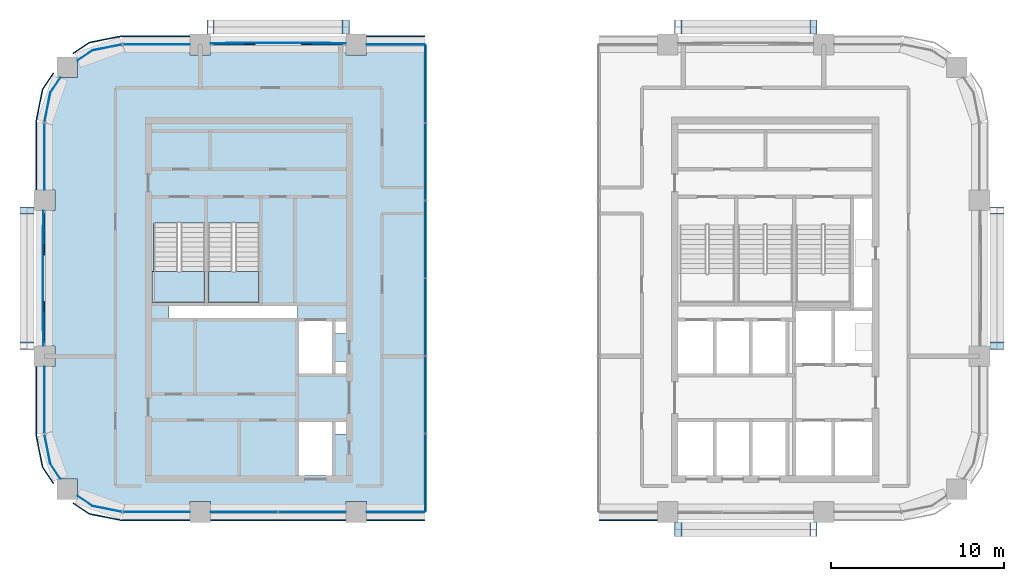
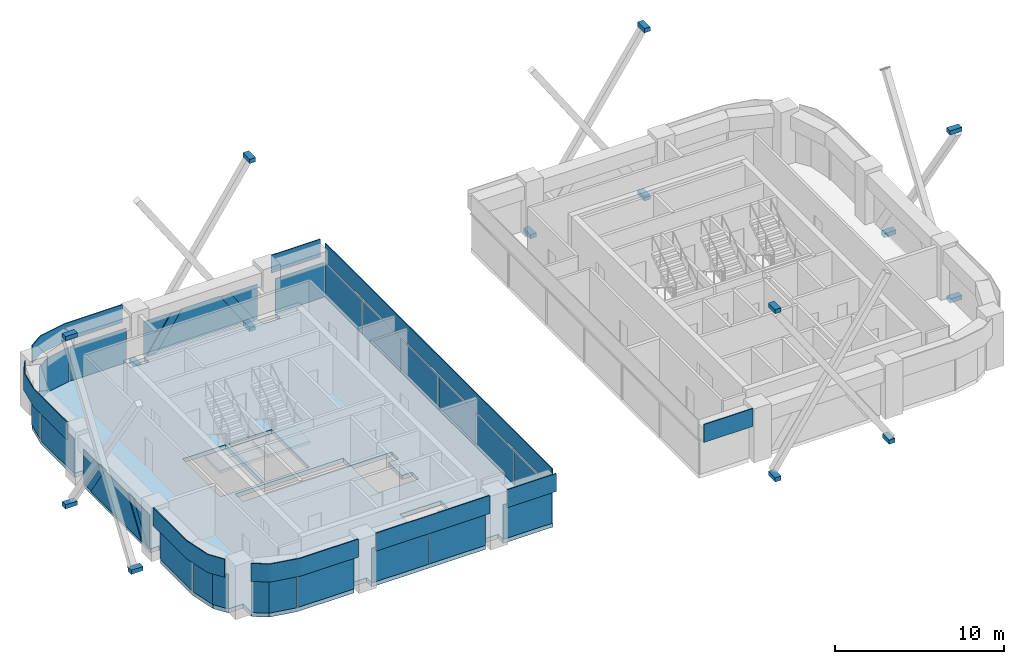
# One storey, part 5 of 14: 37 plates, 15 members, 3 slabs, 13 elements without a shape of their own.
"""IFC4 building model written with IfcOpenShell, lengths in metres."""

from ifc_helpers import new_model, si_unit, direction, frame, origin, origin_2d, place, context, subcontext, project, spatial, polyline, rectangle, outline, extrude, material, layer, layer_set, type_object, element, aggregate, save


model = new_model("IFC4")

# Units and contexts
model_context = context("Model", 3, precision=1e-05, world=origin(), true_north=direction((0.0, 1.0)))
body_context = subcontext(model_context, "Body", "Model", "MODEL_VIEW")
ifc_project = project(units=[si_unit("LENGTHUNIT", "METRE"), si_unit("AREAUNIT", "SQUARE_METRE"), si_unit("VOLUMEUNIT", "CUBIC_METRE"), si_unit("PLANEANGLEUNIT", "RADIAN"), si_unit("MASSUNIT", "GRAM", prefix="KILO")], contexts=[model_context])

# Site, building, storey
site_placement = place(None, origin())
site = spatial("IfcSite", under=ifc_project, at=site_placement, CompositionType="ELEMENT")
building_placement = place(site_placement, origin())
building = spatial("IfcBuilding", under=site, at=building_placement, Name="Tessera Arch", CompositionType="ELEMENT")
storey_placement = place(building_placement, frame((0.0, 0.0, 215.0)))
storey = spatial("IfcBuildingStorey", under=building, at=storey_placement, Name="L51", CompositionType="ELEMENT", Elevation=215.0)

# Members
ifc_material_1 = material(Name="Steel A572 Gr50", Category="steel")
ifc_layer_1 = layer(ifc_material_1, 0.050048828125)
ifc_layer_set_1 = layer_set([ifc_layer_1], Name="Node block Steel A572 Gr50")
member_type = type_object("IfcMemberType", Name="Node block Steel A572 Gr50", PredefinedType="PLATE", material=ifc_layer_set_1)
for number, where, z_axis, x_axis, name in (
    (1, (9.60009765625, 55.00634765625, -1.234375), (0.0, 0.0, 1.0), (-1.0, 0.0, 0.0), "Node block seat N54.0-1 1 L51"),
    (2, (17.39990234375, 55.00634765625, -1.234375), (0.0, 0.0, 1.0), (-1.0, 0.0, 0.0), "Node block seat N54.0-1 2 L51"),
    (3, (17.39990234375, 55.00634765625, 10.93408203125), (0.0, 0.0, 1.0), (-1.0, 0.0, 0.0), "Node block head N54.0-1 B L51"),
    (4, (-1.00634765625, 36.60009765625, -1.234375), (0.0, 0.0, 1.0), (0.0, -1.0, 0.0), "Node block seat W0.27-1 1 L51"),
    (5, (-1.00634765625, 44.39990234375, -1.234375), (0.0, 0.0, 1.0), (0.0, -1.0, 0.0), "Node block seat W0.27-1 2 L51"),
    (6, (-1.00634765625, 44.39990234375, 10.93408203125), (0.0, 0.0, 1.0), (0.0, -1.0, 0.0), "Node block head W0.27-1 B L51"),
    (7, (44.39990234375, 25.99365234375, -1.234375), (0.0, 0.0, 1.0), (1.0, 0.0, 0.0), "Node block seat S27.32-1 1 L51"),
    (8, (36.60009765625, 25.99365234375, -1.234375), (0.0, 0.0, 1.0), (1.0, 0.0, 0.0), "Node block seat S27.32-1 2 L51"),
    (9, (36.60009765625, 25.99365234375, 10.93408203125), (0.0, 0.0, 1.0), (1.0, 0.0, 0.0), "Node block head S27.32-1 B L51"),
    (10, (55.00634765625, 44.39990234375, -1.234375), (0.0, 0.0, 1.0), (0.0, 1.0, 0.0), "Node block seat E54.27-1 1 L51"),
    (11, (55.00634765625, 36.60009765625, -1.234375), (0.0, 0.0, 1.0), (0.0, 1.0, 0.0), "Node block seat E54.27-1 2 L51"),
    (12, (55.00634765625, 36.60009765625, 10.93408203125), (0.0, 0.0, 1.0), (0.0, 1.0, 0.0), "Node block head E54.27-1 B L51"),
    (13, (36.60009765625, 55.00634765625, -1.234375), (0.0, 0.0, 1.0), (-1.0, 0.0, 0.0), "Node block seat N54.32-1 1 L51"),
    (14, (44.39990234375, 55.00634765625, -1.234375), (0.0, 0.0, 1.0), (-1.0, 0.0, 0.0), "Node block seat N54.32-1 2 L51"),
    (15, (44.39990234375, 55.00634765625, 10.93408203125), (0.0, 0.0, 1.0), (-1.0, 0.0, 0.0), "Node block head N54.32-1 B L51"),
):
    element("IfcMember", number, at=place(storey_placement, frame(where, z_axis=z_axis, x_axis=x_axis)), inside=storey, type_object=member_type, Name=name, PredefinedType="PLATE", context=body_context, shape_type="SweptSolid", body=[
        extrude(rectangle(XDim=0.406494140625, YDim=0.812744140625, at=origin_2d()), origin(), (0.0, 0.0, 1.0), 0.300048828125),
    ])

# Curtain wall, plates
ifc_material_2 = material(Name="CW1 curtain wall")
curtain_wall_type_1 = type_object("IfcCurtainWallType", Name="CW1 curtain wall", PredefinedType="NOTDEFINED", material=ifc_material_2)
curtain_wall_1_placement = place(storey_placement, origin())
curtain_wall_1 = element("IfcCurtainWall", 16, at=curtain_wall_1_placement, inside=storey, type_object=curtain_wall_type_1, Name="CW1 curtain wall S27.0/0 L51", PredefinedType="NOTDEFINED")
ifc_material_3 = material(Name="Clear low-e glass", Category="glass")
ifc_material_4 = material(Name="Clear low-e glass", Category="glass")
ifc_layer_2 = layer(ifc_material_4, 0.028076171875)
ifc_layer_set_2 = layer_set([ifc_layer_2], Name="CW1 glass panel")
plate_type_1 = type_object("IfcPlateType", Name="CW1 glass panel", PredefinedType="CURTAIN_PANEL", material=ifc_layer_set_2)
plate_1_placement = place(storey_placement, frame((11.534912109375, 27.0, 0.0), z_axis=(0.0, 0.0, 1.0), x_axis=(1.0, 0.0, 0.0)))
plate_1 = element("IfcPlate", 17, at=plate_1_placement, type_object=plate_type_1, material=ifc_material_3, Name="CW1 glass panel S27.0/0 1.1.1", PredefinedType="CURTAIN_PANEL", context=body_context, shape_type="SweptSolid", body=[
    extrude(rectangle(XDim=3.8701171875, YDim=0.028076171875, at=origin_2d()), origin(), (0.0, 0.0, 1.0), 2.5),
])
plate_2_placement = place(storey_placement, frame((15.465087890625, 27.0, 0.0), z_axis=(0.0, 0.0, 1.0), x_axis=(1.0, 0.0, 0.0)))
plate_2 = element("IfcPlate", 18, at=plate_2_placement, type_object=plate_type_1, material=ifc_material_3, Name="CW1 glass panel S27.0/0 1.2.1", PredefinedType="CURTAIN_PANEL", context=body_context, shape_type="SweptSolid", body=[
    extrude(rectangle(XDim=3.8701171875, YDim=0.028076171875, at=origin_2d()), origin(), (0.0, 0.0, 1.0), 2.5),
])

# Curtain wall, plate
curtain_wall_2_placement = place(storey_placement, origin())
curtain_wall_2 = element("IfcCurtainWall", 19, at=curtain_wall_2_placement, inside=storey, type_object=curtain_wall_type_1, Name="CW1 curtain wall S27.0/1 L51", PredefinedType="NOTDEFINED")
plate_3_placement = place(storey_placement, frame((20.27490234375, 27.0, 0.0), z_axis=(0.0, 0.0, 1.0), x_axis=(1.0, 0.0, 0.0)))
plate_3 = element("IfcPlate", 20, at=plate_3_placement, type_object=plate_type_1, material=ifc_material_3, Name="CW1 glass panel S27.0/1 1.1.1", PredefinedType="CURTAIN_PANEL", context=body_context, shape_type="SweptSolid", body=[
    extrude(rectangle(XDim=3.35009765625, YDim=0.028076171875, at=origin_2d()), origin(), (0.0, 0.0, 1.0), 2.5),
])

curtain_wall_3_placement = place(storey_placement, origin())
curtain_wall_3 = element("IfcCurtainWall", 21, at=curtain_wall_3_placement, inside=storey, type_object=curtain_wall_type_1, Name="CW1 curtain wall N54.0/0 L51", PredefinedType="NOTDEFINED")
plate_4_placement = place(storey_placement, frame((20.27490234375, 54.0, 0.0), z_axis=(0.0, 0.0, 1.0), x_axis=(-1.0, 0.0, 0.0)))
plate_4 = element("IfcPlate", 22, at=plate_4_placement, type_object=plate_type_1, material=ifc_material_3, Name="CW1 glass panel N54.0/0 1.1.1", PredefinedType="CURTAIN_PANEL", context=body_context, shape_type="SweptSolid", body=[
    extrude(rectangle(XDim=3.35009765625, YDim=0.028076171875, at=origin_2d()), origin(), (0.0, 0.0, 1.0), 2.5),
])

# Plate
ifc_material_5 = material(Name="Pale anodised aluminium panel", Category="aluminium")
ifc_layer_3 = layer(ifc_material_5, 0.06005859375)
ifc_layer_set_3 = layer_set([ifc_layer_3], Name="CW1 spandrel panel")
plate_type_2 = type_object("IfcPlateType", Name="CW1 spandrel panel", PredefinedType="CURTAIN_PANEL", material=ifc_layer_set_3)
plate_5_placement = place(storey_placement, frame((13.5, 26.52001953125, 2.60009765625), z_axis=(0.0, 0.0, 1.0), x_axis=(1.0, 0.0, 0.0)))
plate_5 = element("IfcPlate", 23, at=plate_5_placement, type_object=plate_type_2, Name="CW1 spandrel panel S27.0/0", PredefinedType="CURTAIN_PANEL", context=body_context, shape_type="SweptSolid", body=[
    extrude(rectangle(XDim=7.800048828125, YDim=0.06005859375, at=origin_2d()), origin(), (0.0, 0.0, 1.0), 1.300048828125),
])

aggregate(curtain_wall_1, [plate_1, plate_2, plate_5])

plate_6_placement = place(storey_placement, frame((20.27490234375, 26.52001953125, 2.60009765625), z_axis=(0.0, 0.0, 1.0), x_axis=(1.0, 0.0, 0.0)))
plate_6 = element("IfcPlate", 24, at=plate_6_placement, type_object=plate_type_2, Name="CW1 spandrel panel S27.0/1", PredefinedType="CURTAIN_PANEL", context=body_context, shape_type="SweptSolid", body=[
    extrude(rectangle(XDim=3.35009765625, YDim=0.06005859375, at=origin_2d()), origin(), (0.0, 0.0, 1.0), 1.300048828125),
])

aggregate(curtain_wall_2, [plate_3, plate_6])

plate_7_placement = place(storey_placement, frame((20.27490234375, 54.47998046875, 2.60009765625), z_axis=(0.0, 0.0, 1.0), x_axis=(-1.0, 0.0, 0.0)))
plate_7 = element("IfcPlate", 25, at=plate_7_placement, type_object=plate_type_2, Name="CW1 spandrel panel N54.0/0", PredefinedType="CURTAIN_PANEL", context=body_context, shape_type="SweptSolid", body=[
    extrude(rectangle(XDim=3.35009765625, YDim=0.06005859375, at=origin_2d()), origin(), (0.0, 0.0, 1.0), 1.300048828125),
])

aggregate(curtain_wall_3, [plate_4, plate_7])

# Curtain wall, plate
curtain_wall_4_placement = place(storey_placement, origin())
curtain_wall_4 = element("IfcCurtainWall", 26, at=curtain_wall_4_placement, inside=storey, type_object=curtain_wall_type_1, Name="CW1 curtain wall S27.32/0 L51", PredefinedType="NOTDEFINED")
plate_8_placement = place(storey_placement, frame((33.72509765625, 26.52001953125, 2.60009765625), z_axis=(0.0, 0.0, 1.0), x_axis=(1.0, 0.0, 0.0)))
plate_8 = element("IfcPlate", 27, at=plate_8_placement, type_object=plate_type_2, Name="CW1 spandrel panel S27.32/0", PredefinedType="CURTAIN_PANEL", context=body_context, shape_type="SweptSolid", body=[
    extrude(rectangle(XDim=3.35009765625, YDim=0.06005859375, at=origin_2d()), origin(), (0.0, 0.0, 1.0), 1.300048828125),
])
aggregate(curtain_wall_4, [plate_8])

# Curtain wall, plates
ifc_material_6 = material(Name="CW2 curtain wall")
curtain_wall_type_2 = type_object("IfcCurtainWallType", Name="CW2 curtain wall", PredefinedType="NOTDEFINED", material=ifc_material_6)
curtain_wall_5_placement = place(storey_placement, origin())
curtain_wall_5 = element("IfcCurtainWall", 28, at=curtain_wall_5_placement, inside=storey, type_object=curtain_wall_type_2, Name="CW2 curtain wall N54.0/2 L51", PredefinedType="NOTDEFINED")
ifc_material_7 = material(Name="Clear low-e glass", Category="glass")
ifc_layer_4 = layer(ifc_material_7, 0.028076171875)
ifc_layer_set_4 = layer_set([ifc_layer_4], Name="CW2 glass panel")
plate_type_3 = type_object("IfcPlateType", Name="CW2 glass panel", PredefinedType="CURTAIN_PANEL", material=ifc_layer_set_4)
plate_9_placement = place(storey_placement, frame((6.469970703125, 54.0, 0.0), z_axis=(0.0, 0.0, 1.0), x_axis=(-1.0, 0.0, 0.0)))
plate_9 = element("IfcPlate", 29, at=plate_9_placement, type_object=plate_type_3, material=ifc_material_3, Name="CW2 glass panel N54.0/2 1.1", PredefinedType="CURTAIN_PANEL", context=body_context, shape_type="SweptSolid", body=[
    extrude(rectangle(XDim=3.860107421875, YDim=0.028076171875, at=origin_2d()), origin(), (0.0, 0.0, 1.0), 2.5),
])
plate_10_placement = place(storey_placement, origin())
plate_10 = element("IfcPlate", 30, at=plate_10_placement, type_object=plate_type_3, material=ifc_material_3, Name="CW2 curved glass panel N54.0/2 2.1", PredefinedType="CURTAIN_PANEL", context=body_context, shape_type="SweptSolid", body=[
    extrude(outline(polyline([(2.783447265625, 53.644287109375), (4.46337890625, 53.978515625), (4.4580078125, 54.005859375), (2.7724609375, 53.670654296875), (1.91015625, 53.094482421875), (1.92578125, 53.0712890625), (2.783447265625, 53.644287109375)])), origin(), (0.0, 0.0, 1.0), 2.5),
])

curtain_wall_6_placement = place(storey_placement, origin())
curtain_wall_6 = element("IfcCurtainWall", 31, at=curtain_wall_6_placement, inside=storey, type_object=curtain_wall_type_2, Name="CW2 curtain wall W0.27/0 L51", PredefinedType="NOTDEFINED")
plate_11_placement = place(storey_placement, frame((0.0, 47.530029296875, 0.0), z_axis=(0.0, 0.0, 1.0), x_axis=(0.0, -1.0, 0.0)))
plate_11 = element("IfcPlate", 32, at=plate_11_placement, type_object=plate_type_3, material=ifc_material_3, Name="CW2 glass panel W0.27/0 1.1", PredefinedType="CURTAIN_PANEL", context=body_context, shape_type="SweptSolid", body=[
    extrude(rectangle(XDim=3.860107421875, YDim=0.028076171875, at=origin_2d()), origin(), (0.0, 0.0, 1.0), 2.5),
])
plate_12_placement = place(storey_placement, origin())
plate_12 = element("IfcPlate", 33, at=plate_12_placement, type_object=plate_type_3, material=ifc_material_3, Name="CW2 curved glass panel W0.27/0 2.1", PredefinedType="CURTAIN_PANEL", context=body_context, shape_type="SweptSolid", body=[
    extrude(outline(polyline([(0.355712890625, 51.216552734375), (0.9287109375, 52.07421875), (0.905517578125, 52.08984375), (0.329345703125, 51.2275390625), (-0.005859375, 49.5419921875), (0.021484375, 49.53662109375), (0.355712890625, 51.216552734375)])), origin(), (0.0, 0.0, 1.0), 2.5),
])

curtain_wall_7_placement = place(storey_placement, origin())
curtain_wall_7 = element("IfcCurtainWall", 34, at=curtain_wall_7_placement, inside=storey, type_object=curtain_wall_type_2, Name="CW2 curtain wall W0.27/2 L51", PredefinedType="NOTDEFINED")
plate_13_placement = place(storey_placement, frame((0.0, 33.469970703125, 0.0), z_axis=(0.0, 0.0, 1.0), x_axis=(0.0, -1.0, 0.0)))
plate_13 = element("IfcPlate", 35, at=plate_13_placement, type_object=plate_type_3, material=ifc_material_3, Name="CW2 glass panel W0.27/2 1.1", PredefinedType="CURTAIN_PANEL", context=body_context, shape_type="SweptSolid", body=[
    extrude(rectangle(XDim=3.860107421875, YDim=0.028076171875, at=origin_2d()), origin(), (0.0, 0.0, 1.0), 2.5),
])
plate_14_placement = place(storey_placement, origin())
plate_14 = element("IfcPlate", 36, at=plate_14_placement, type_object=plate_type_3, material=ifc_material_3, Name="CW2 curved glass panel W0.27/2 2.1", PredefinedType="CURTAIN_PANEL", context=body_context, shape_type="SweptSolid", body=[
    extrude(outline(polyline([(0.355712890625, 29.783447265625), (0.021484375, 31.46337890625), (-0.005859375, 31.4580078125), (0.329345703125, 29.7724609375), (0.905517578125, 28.91015625), (0.9287109375, 28.92578125), (0.355712890625, 29.783447265625)])), origin(), (0.0, 0.0, 1.0), 2.5),
])

curtain_wall_8_placement = place(storey_placement, origin())
curtain_wall_8 = element("IfcCurtainWall", 37, at=curtain_wall_8_placement, inside=storey, type_object=curtain_wall_type_2, Name="CW2 curtain wall S27.0/2 L51", PredefinedType="NOTDEFINED")
plate_15_placement = place(storey_placement, frame((6.469970703125, 27.0, 0.0), z_axis=(0.0, 0.0, 1.0), x_axis=(1.0, 0.0, 0.0)))
plate_15 = element("IfcPlate", 38, at=plate_15_placement, type_object=plate_type_3, material=ifc_material_3, Name="CW2 glass panel S27.0/2 1.1", PredefinedType="CURTAIN_PANEL", context=body_context, shape_type="SweptSolid", body=[
    extrude(rectangle(XDim=3.860107421875, YDim=0.028076171875, at=origin_2d()), origin(), (0.0, 0.0, 1.0), 2.5),
])
plate_16_placement = place(storey_placement, origin())
plate_16 = element("IfcPlate", 39, at=plate_16_placement, type_object=plate_type_3, material=ifc_material_3, Name="CW2 curved glass panel S27.0/2 2.1", PredefinedType="CURTAIN_PANEL", context=body_context, shape_type="SweptSolid", body=[
    extrude(outline(polyline([(2.783447265625, 27.355712890625), (1.92578125, 27.9287109375), (1.91015625, 27.905517578125), (2.7724609375, 27.329345703125), (4.4580078125, 26.994140625), (4.46337890625, 27.021484375), (2.783447265625, 27.355712890625)])), origin(), (0.0, 0.0, 1.0), 2.5),
])

# Plate
ifc_material_8 = material(Name="Pale anodised aluminium panel", Category="aluminium")
ifc_layer_5 = layer(ifc_material_8, 0.06005859375)
ifc_layer_set_5 = layer_set([ifc_layer_5], Name="CW2 spandrel panel")
plate_type_4 = type_object("IfcPlateType", Name="CW2 spandrel panel", PredefinedType="CURTAIN_PANEL", material=ifc_layer_set_5)
plate_17_placement = place(storey_placement, frame((0.0, 0.0, 2.60009765625)))
plate_17 = element("IfcPlate", 40, at=plate_17_placement, type_object=plate_type_4, Name="CW2 spandrel panel N54.0/2", PredefinedType="CURTAIN_PANEL", context=body_context, shape_type="SweptSolid", body=[
    extrude(outline(polyline([(4.500732421875, 54.449951171875), (8.39990234375, 54.449951171875), (8.39990234375, 54.510009765625), (4.499267578125, 54.510009765625), (4.449951171875, 54.507568359375), (4.401123046875, 54.500244140625), (2.677734375, 54.157470703125), (2.6298828125, 54.1455078125), (2.582763671875, 54.128662109375), (2.537353515625, 54.107421875), (2.4951171875, 54.08203125), (1.634765625, 53.5068359375), (1.66796875, 53.45703125), (2.52734375, 54.03125), (2.565673828125, 54.054443359375), (2.605712890625, 54.0732421875), (2.647216796875, 54.088134765625), (2.69091796875, 54.09912109375), (4.411376953125, 54.441162109375), (4.455810546875, 54.44775390625), (4.500732421875, 54.449951171875)])), origin(), (0.0, 0.0, 1.0), 1.2998046875),
])

aggregate(curtain_wall_5, [plate_9, plate_10, plate_17])

plate_18_placement = place(storey_placement, frame((0.0, 0.0, 2.60009765625)))
plate_18 = element("IfcPlate", 41, at=plate_18_placement, type_object=plate_type_4, Name="CW2 spandrel panel W0.27/0", PredefinedType="CURTAIN_PANEL", context=body_context, shape_type="SweptSolid", body=[
    extrude(outline(polyline([(-0.03125, 51.47265625), (0.54296875, 52.33203125), (0.4931640625, 52.365234375), (-0.08203125, 51.5048828125), (-0.107421875, 51.462646484375), (-0.128662109375, 51.417236328125), (-0.1455078125, 51.3701171875), (-0.157470703125, 51.322265625), (-0.500244140625, 49.598876953125), (-0.507568359375, 49.550048828125), (-0.510009765625, 49.500732421875), (-0.510009765625, 45.60009765625), (-0.449951171875, 45.60009765625), (-0.449951171875, 49.499267578125), (-0.44775390625, 49.544189453125), (-0.441162109375, 49.588623046875), (-0.09912109375, 51.30908203125), (-0.088134765625, 51.352783203125), (-0.0732421875, 51.394287109375), (-0.054443359375, 51.434326171875), (-0.03125, 51.47265625)])), origin(), (0.0, 0.0, 1.0), 1.2998046875),
])

aggregate(curtain_wall_6, [plate_11, plate_12, plate_18])

plate_19_placement = place(storey_placement, frame((0.0, 0.0, 2.60009765625)))
plate_19 = element("IfcPlate", 42, at=plate_19_placement, type_object=plate_type_4, Name="CW2 spandrel panel W0.27/2", PredefinedType="CURTAIN_PANEL", context=body_context, shape_type="SweptSolid", body=[
    extrude(outline(polyline([(-0.449951171875, 31.500732421875), (-0.449951171875, 35.39990234375), (-0.510009765625, 35.39990234375), (-0.510009765625, 31.499267578125), (-0.507568359375, 31.449951171875), (-0.500244140625, 31.401123046875), (-0.157470703125, 29.677734375), (-0.1455078125, 29.6298828125), (-0.128662109375, 29.582763671875), (-0.107421875, 29.537353515625), (-0.08203125, 29.4951171875), (0.4931640625, 28.634765625), (0.54296875, 28.66796875), (-0.03125, 29.52734375), (-0.054443359375, 29.565673828125), (-0.0732421875, 29.605712890625), (-0.088134765625, 29.647216796875), (-0.09912109375, 29.69091796875), (-0.441162109375, 31.411376953125), (-0.44775390625, 31.455810546875), (-0.449951171875, 31.500732421875)])), origin(), (0.0, 0.0, 1.0), 1.2998046875),
])

aggregate(curtain_wall_7, [plate_13, plate_14, plate_19])

plate_20_placement = place(storey_placement, frame((0.0, 0.0, 2.60009765625)))
plate_20 = element("IfcPlate", 43, at=plate_20_placement, type_object=plate_type_4, Name="CW2 spandrel panel S27.0/2", PredefinedType="CURTAIN_PANEL", context=body_context, shape_type="SweptSolid", body=[
    extrude(outline(polyline([(2.52734375, 26.96875), (1.66796875, 27.54296875), (1.634765625, 27.4931640625), (2.4951171875, 26.91796875), (2.537353515625, 26.892578125), (2.582763671875, 26.871337890625), (2.6298828125, 26.8544921875), (2.677734375, 26.842529296875), (4.401123046875, 26.499755859375), (4.449951171875, 26.492431640625), (4.499267578125, 26.489990234375), (8.39990234375, 26.489990234375), (8.39990234375, 26.550048828125), (4.500732421875, 26.550048828125), (4.455810546875, 26.55224609375), (4.411376953125, 26.558837890625), (2.69091796875, 26.90087890625), (2.647216796875, 26.911865234375), (2.605712890625, 26.9267578125), (2.565673828125, 26.945556640625), (2.52734375, 26.96875)])), origin(), (0.0, 0.0, 1.0), 1.2998046875),
])

aggregate(curtain_wall_8, [plate_15, plate_16, plate_20])

# Curtain wall, plates
ifc_material_9 = material(Name="CW3 curtain wall")
curtain_wall_type_3 = type_object("IfcCurtainWallType", Name="CW3 curtain wall", PredefinedType="NOTDEFINED", material=ifc_material_9)
curtain_wall_9_placement = place(storey_placement, origin())
curtain_wall_9 = element("IfcCurtainWall", 44, at=curtain_wall_9_placement, inside=storey, type_object=curtain_wall_type_3, Name="CW3 curtain wall N54.0/1 L51", PredefinedType="NOTDEFINED")
ifc_material_10 = material(Name="Pale anodised aluminium panel", Category="aluminium")
ifc_layer_6 = layer(ifc_material_10, 0.06005859375)
ifc_layer_set_6 = layer_set([ifc_layer_6], Name="CW3 diagonal panel")
plate_type_5 = type_object("IfcPlateType", Name="CW3 diagonal panel", PredefinedType="CURTAIN_PANEL", material=ifc_layer_set_6)
plate_21_placement = place(storey_placement, frame((11.47119140625, 54.030029296875, 2.5), z_axis=(0.0, 1.0, 0.0), x_axis=(1.0, 0.0, 0.0)))
plate_21 = element("IfcPlate", 45, at=plate_21_placement, type_object=plate_type_5, Name="CW3 diagonal panel N54.0/1 1", PredefinedType="CURTAIN_PANEL", context=body_context, shape_type="SweptSolid", body=[
    extrude(outline(polyline([(0.0, 0.0), (0.695556640625, 0.0), (-0.985595703125, 2.5), (-1.680908203125, 2.5), (0.0, 0.0)])), origin(), (0.0, 0.0, -1.0), 0.06005859375),
])
plate_22_placement = place(storey_placement, frame((14.833251953125, 54.030029296875, 2.5), z_axis=(0.0, 1.0, 0.0), x_axis=(1.0, 0.0, 0.0)))
plate_22 = element("IfcPlate", 46, at=plate_22_placement, type_object=plate_type_5, Name="CW3 diagonal panel N54.0/1 2", PredefinedType="CURTAIN_PANEL", context=body_context, shape_type="SweptSolid", body=[
    extrude(outline(polyline([(0.0, 0.0), (0.695556640625, 0.0), (2.37646484375, 2.5), (1.68115234375, 2.5), (0.0, 0.0)])), origin(), (0.0, 0.0, -1.0), 0.06005859375),
])

curtain_wall_10_placement = place(storey_placement, origin())
curtain_wall_10 = element("IfcCurtainWall", 47, at=curtain_wall_10_placement, inside=storey, type_object=curtain_wall_type_3, Name="CW3 curtain wall W0.27/1 L51", PredefinedType="NOTDEFINED")
plate_23_placement = place(storey_placement, frame((-0.030029296875, 38.47119140625, 2.5), z_axis=(-1.0, 0.0, 0.0), x_axis=(0.0, 1.0, 0.0)))
plate_23 = element("IfcPlate", 48, at=plate_23_placement, type_object=plate_type_5, Name="CW3 diagonal panel W0.27/1 1", PredefinedType="CURTAIN_PANEL", context=body_context, shape_type="SweptSolid", body=[
    extrude(outline(polyline([(0.0, 0.0), (0.695556640625, 0.0), (-0.985595703125, 2.5), (-1.680908203125, 2.5), (0.0, 0.0)])), origin(), (0.0, 0.0, -1.0), 0.06005859375),
])
plate_24_placement = place(storey_placement, frame((-0.030029296875, 41.833251953125, 2.5), z_axis=(-1.0, 0.0, 0.0), x_axis=(0.0, 1.0, 0.0)))
plate_24 = element("IfcPlate", 49, at=plate_24_placement, type_object=plate_type_5, Name="CW3 diagonal panel W0.27/1 2", PredefinedType="CURTAIN_PANEL", context=body_context, shape_type="SweptSolid", body=[
    extrude(outline(polyline([(0.0, 0.0), (0.695556640625, 0.0), (2.37646484375, 2.5), (1.68115234375, 2.5), (0.0, 0.0)])), origin(), (0.0, 0.0, -1.0), 0.06005859375),
])

# Plate
ifc_material_11 = material(Name="Clear low-e glass", Category="glass")
ifc_layer_7 = layer(ifc_material_11, 0.028076171875)
ifc_layer_set_7 = layer_set([ifc_layer_7], Name="CW3 glass panel")
plate_type_6 = type_object("IfcPlateType", Name="CW3 glass panel", PredefinedType="CURTAIN_PANEL", material=ifc_layer_set_7)
plate_25_placement = place(storey_placement, frame((17.39990234375, 54.05810546875, 0.0), z_axis=(0.0, 1.0, 0.0), x_axis=(-1.0, 0.0, 0.0)))
plate_25 = element("IfcPlate", 50, at=plate_25_placement, type_object=plate_type_6, material=ifc_material_3, Name="CW3 triangulated glass panel N54.0/1 1", PredefinedType="CURTAIN_PANEL", context=body_context, shape_type="SweptSolid", body=[
    extrude(outline(polyline([(0.0, 0.0), (0.190185546875, 0.0), (1.87109375, 2.5), (0.0, 2.5), (0.0, 0.0)])), origin(), (0.0, 0.0, -1.0), 0.028076171875),
])

plate_26_placement = place(storey_placement, frame((12.166748046875, 54.0859375, 2.5), z_axis=(0.0, 1.0, 0.0), x_axis=(1.0, 0.0, 0.0)))
plate_26 = element("IfcPlate", 51, at=plate_26_placement, type_object=plate_type_6, material=ifc_material_3, Name="CW3 triangulated glass panel N54.0/1 2", PredefinedType="CURTAIN_PANEL", context=body_context, shape_type="SweptSolid", body=[
    extrude(outline(polyline([(0.0, 0.0), (2.66650390625, 0.0), (4.34765625, 2.5), (-1.68115234375, 2.5), (0.0, 0.0)])), origin(), (0.0, 0.0, -1.0), 0.028076171875),
])

plate_27_placement = place(storey_placement, frame((9.60009765625, 54.05810546875, 2.5), z_axis=(0.0, 1.0, 0.0), x_axis=(1.0, 0.0, 0.0)))
plate_27 = element("IfcPlate", 52, at=plate_27_placement, type_object=plate_type_6, material=ifc_material_3, Name="CW3 triangulated glass panel N54.0/1 3", PredefinedType="CURTAIN_PANEL", context=body_context, shape_type="SweptSolid", body=[
    extrude(outline(polyline([(0.0, 0.0), (1.87109375, 0.0), (0.190185546875, 2.5), (0.0, 2.5), (0.0, 0.0)])), origin(), (0.0, 0.0, -1.0), 0.028076171875),
])

aggregate(curtain_wall_9, [plate_25, plate_26, plate_27, plate_21, plate_22])

plate_28_placement = place(storey_placement, frame((-0.05810546875, 44.39990234375, 0.0), z_axis=(-1.0, 0.0, 0.0), x_axis=(0.0, -1.0, 0.0)))
plate_28 = element("IfcPlate", 53, at=plate_28_placement, type_object=plate_type_6, material=ifc_material_3, Name="CW3 triangulated glass panel W0.27/1 1", PredefinedType="CURTAIN_PANEL", context=body_context, shape_type="SweptSolid", body=[
    extrude(outline(polyline([(0.0, 0.0), (0.190185546875, 0.0), (1.87109375, 2.5), (0.0, 2.5), (0.0, 0.0)])), origin(), (0.0, 0.0, -1.0), 0.028076171875),
])

plate_29_placement = place(storey_placement, frame((-0.0859375, 39.166748046875, 2.5), z_axis=(-1.0, 0.0, 0.0), x_axis=(0.0, 1.0, 0.0)))
plate_29 = element("IfcPlate", 54, at=plate_29_placement, type_object=plate_type_6, material=ifc_material_3, Name="CW3 triangulated glass panel W0.27/1 2", PredefinedType="CURTAIN_PANEL", context=body_context, shape_type="SweptSolid", body=[
    extrude(outline(polyline([(0.0, 0.0), (2.66650390625, 0.0), (4.34765625, 2.5), (-1.68115234375, 2.5), (0.0, 0.0)])), origin(), (0.0, 0.0, -1.0), 0.028076171875),
])

plate_30_placement = place(storey_placement, frame((-0.05810546875, 36.60009765625, 2.5), z_axis=(-1.0, 0.0, 0.0), x_axis=(0.0, 1.0, 0.0)))
plate_30 = element("IfcPlate", 55, at=plate_30_placement, type_object=plate_type_6, material=ifc_material_3, Name="CW3 triangulated glass panel W0.27/1 3", PredefinedType="CURTAIN_PANEL", context=body_context, shape_type="SweptSolid", body=[
    extrude(outline(polyline([(0.0, 0.0), (1.87109375, 0.0), (0.190185546875, 2.5), (0.0, 2.5), (0.0, 0.0)])), origin(), (0.0, 0.0, -1.0), 0.028076171875),
])

aggregate(curtain_wall_10, [plate_28, plate_29, plate_30, plate_23, plate_24])

# Curtain wall, plates
ifc_material_12 = material(Name="CW5 curtain wall")
curtain_wall_type_4 = type_object("IfcCurtainWallType", Name="CW5 curtain wall", PredefinedType="NOTDEFINED", material=ifc_material_12)
curtain_wall_11_placement = place(storey_placement, origin())
curtain_wall_11 = element("IfcCurtainWall", 56, at=curtain_wall_11_placement, inside=storey, type_object=curtain_wall_type_4, Name="CW5 curtain wall E22.27/0 L51", PredefinedType="NOTDEFINED")
ifc_material_13 = material(Name="Clear low-e glass", Category="glass")
ifc_layer_8 = layer(ifc_material_13, 0.028076171875)
ifc_layer_set_8 = layer_set([ifc_layer_8], Name="CW5 glass panel")
plate_type_7 = type_object("IfcPlateType", Name="CW5 glass panel", PredefinedType="CURTAIN_PANEL", material=ifc_layer_set_8)
plate_31_placement = place(storey_placement, frame((22.0, 29.271728515625, 0.0), z_axis=(0.0, 0.0, 1.0), x_axis=(0.0, 1.0, 0.0)))
plate_31 = element("IfcPlate", 57, at=plate_31_placement, type_object=plate_type_7, material=ifc_material_3, Name="CW5 glass panel E22.27/0 1.1.1", PredefinedType="CURTAIN_PANEL", context=body_context, shape_type="SweptSolid", body=[
    extrude(rectangle(XDim=4.443359375, YDim=0.028076171875, at=origin_2d()), origin(), (0.0, 0.0, 1.0), 2.5),
])
plate_32_placement = place(storey_placement, frame((22.0, 33.77490234375, 0.0), z_axis=(0.0, 0.0, 1.0), x_axis=(0.0, 1.0, 0.0)))
plate_32 = element("IfcPlate", 58, at=plate_32_placement, type_object=plate_type_7, material=ifc_material_3, Name="CW5 glass panel E22.27/0 1.2.1", PredefinedType="CURTAIN_PANEL", context=body_context, shape_type="SweptSolid", body=[
    extrude(rectangle(XDim=4.4033203125, YDim=0.028076171875, at=origin_2d()), origin(), (0.0, 0.0, 1.0), 2.5),
])
plate_33_placement = place(storey_placement, frame((22.0, 38.25830078125, 0.0), z_axis=(0.0, 0.0, 1.0), x_axis=(0.0, 1.0, 0.0)))
plate_33 = element("IfcPlate", 59, at=plate_33_placement, type_object=plate_type_7, material=ifc_material_3, Name="CW5 glass panel E22.27/0 1.3.1", PredefinedType="CURTAIN_PANEL", context=body_context, shape_type="SweptSolid", body=[
    extrude(rectangle(XDim=4.4033203125, YDim=0.028076171875, at=origin_2d()), origin(), (0.0, 0.0, 1.0), 2.5),
])
plate_34_placement = place(storey_placement, frame((22.0, 42.74169921875, 0.0), z_axis=(0.0, 0.0, 1.0), x_axis=(0.0, 1.0, 0.0)))
plate_34 = element("IfcPlate", 60, at=plate_34_placement, type_object=plate_type_7, material=ifc_material_3, Name="CW5 glass panel E22.27/0 1.4.1", PredefinedType="CURTAIN_PANEL", context=body_context, shape_type="SweptSolid", body=[
    extrude(rectangle(XDim=4.4033203125, YDim=0.028076171875, at=origin_2d()), origin(), (0.0, 0.0, 1.0), 2.5),
])
plate_35_placement = place(storey_placement, frame((22.0, 47.22509765625, 0.0), z_axis=(0.0, 0.0, 1.0), x_axis=(0.0, 1.0, 0.0)))
plate_35 = element("IfcPlate", 61, at=plate_35_placement, type_object=plate_type_7, material=ifc_material_3, Name="CW5 glass panel E22.27/0 1.5.1", PredefinedType="CURTAIN_PANEL", context=body_context, shape_type="SweptSolid", body=[
    extrude(rectangle(XDim=4.4033203125, YDim=0.028076171875, at=origin_2d()), origin(), (0.0, 0.0, 1.0), 2.5),
])
plate_36_placement = place(storey_placement, frame((22.0, 51.728271484375, 0.0), z_axis=(0.0, 0.0, 1.0), x_axis=(0.0, 1.0, 0.0)))
plate_36 = element("IfcPlate", 62, at=plate_36_placement, type_object=plate_type_7, material=ifc_material_3, Name="CW5 glass panel E22.27/0 1.6.1", PredefinedType="CURTAIN_PANEL", context=body_context, shape_type="SweptSolid", body=[
    extrude(rectangle(XDim=4.443359375, YDim=0.028076171875, at=origin_2d()), origin(), (0.0, 0.0, 1.0), 2.5),
])
ifc_material_14 = material(Name="Pale anodised aluminium panel", Category="aluminium")
ifc_layer_9 = layer(ifc_material_14, 0.06005859375)
ifc_layer_set_9 = layer_set([ifc_layer_9], Name="CW5 spandrel panel")
plate_type_8 = type_object("IfcPlateType", Name="CW5 spandrel panel", PredefinedType="CURTAIN_PANEL", material=ifc_layer_set_9)
plate_37_placement = place(storey_placement, frame((22.0, 40.5, 2.60009765625), z_axis=(0.0, 0.0, 1.0), x_axis=(0.0, 1.0, 0.0)))
plate_37 = element("IfcPlate", 63, at=plate_37_placement, type_object=plate_type_8, Name="CW5 spandrel panel E22.27/0", PredefinedType="CURTAIN_PANEL", context=body_context, shape_type="SweptSolid", body=[
    extrude(rectangle(XDim=26.89990234375, YDim=0.06005859375, at=origin_2d()), origin(), (0.0, 0.0, 1.0), 1.300048828125),
])
aggregate(curtain_wall_11, [plate_31, plate_32, plate_33, plate_34, plate_35, plate_36, plate_37])

# Slab
ifc_material_15 = material(Name="Concrete C40/50", Category="concrete")
ifc_layer_10 = layer(ifc_material_15, 0.300048828125)
ifc_layer_set_10 = layer_set([ifc_layer_10], Name="Floor slab 300 Concrete C40/50")
slab_type_1 = type_object("IfcSlabType", Name="Floor slab 300 Concrete C40/50", PredefinedType="FLOOR", material=ifc_layer_set_10)
slab_1_placement = place(storey_placement, frame((0.0, 0.0, -0.300048828125)))
element("IfcSlab", 64, at=slab_1_placement, inside=storey, type_object=slab_type_1, Name="Floor slab L51 1", PredefinedType="FLOOR", context=body_context, shape_type="SweptSolid", body=[
    extrude(outline(polyline([(1.91796875, 27.9169921875), (1.91796875, 28.91796875), (0.9169921875, 28.91796875), (0.342529296875, 29.77783203125), (0.0, 31.5), (0.0, 35.39990234375), (0.60009765625, 35.39990234375), (0.60009765625, 36.60009765625), (0.0, 36.60009765625), (0.0, 44.39990234375), (0.60009765625, 44.39990234375), (0.60009765625, 45.60009765625), (0.0, 45.60009765625), (0.0, 49.5), (0.342529296875, 51.22216796875), (0.9169921875, 52.08203125), (1.91796875, 52.08203125), (1.91796875, 53.0830078125), (2.77783203125, 53.657470703125), (4.5, 54.0), (8.39990234375, 54.0), (8.39990234375, 53.39990234375), (9.60009765625, 53.39990234375), (9.60009765625, 54.0), (17.39990234375, 54.0), (17.39990234375, 53.39990234375), (18.60009765625, 53.39990234375), (18.60009765625, 54.0), (22.0, 54.0), (22.0, 27.0), (18.60009765625, 27.0), (18.60009765625, 27.60009765625), (17.39990234375, 27.60009765625), (17.39990234375, 27.0), (9.60009765625, 27.0), (9.60009765625, 27.60009765625), (8.39990234375, 27.60009765625), (8.39990234375, 27.0), (4.5, 27.0), (2.77783203125, 27.342529296875), (1.91796875, 27.9169921875)]), holes=[polyline([(14.60009765625, 29.10009765625), (16.699951171875, 29.10009765625), (16.699951171875, 31.5), (17.39990234375, 31.5), (17.39990234375, 32.300048828125), (16.699951171875, 32.300048828125), (14.60009765625, 32.300048828125), (14.60009765625, 29.10009765625)]), polyline([(17.39990234375, 35.699951171875), (16.699951171875, 35.699951171875), (16.699951171875, 37.300048828125), (17.39990234375, 37.300048828125), (17.39990234375, 38.10009765625), (16.699951171875, 38.10009765625), (14.60498046875, 38.10009765625), (14.60498046875, 38.10498046875), (14.60009765625, 38.10498046875), (14.60009765625, 39.0), (7.199951171875, 39.0), (7.199951171875, 38.10009765625), (14.594970703125, 38.10009765625), (14.594970703125, 38.094970703125), (14.60009765625, 38.094970703125), (14.60009765625, 34.89990234375), (16.699951171875, 34.89990234375), (17.39990234375, 34.89990234375), (17.39990234375, 35.699951171875)]), polyline([(6.300048828125, 43.68994140625), (6.300048828125, 39.199951171875), (9.25, 39.199951171875), (9.25, 43.68994140625), (7.85009765625, 43.68994140625), (7.85009765625, 43.699951171875), (7.699951171875, 43.699951171875), (7.699951171875, 43.68994140625), (6.300048828125, 43.68994140625)]), polyline([(9.449951171875, 43.68994140625), (9.449951171875, 39.199951171875), (12.39990234375, 39.199951171875), (12.39990234375, 43.68994140625), (11.0, 43.68994140625), (11.0, 43.699951171875), (10.85009765625, 43.699951171875), (10.85009765625, 43.68994140625), (9.449951171875, 43.68994140625)])]), origin(), (0.0, 0.0, 1.0), 0.300048828125),
])

# Stair, slab
ifc_material_16 = material(Name="Concrete C40/50", Category="concrete")
stair_type = type_object("IfcStairType", Name="Dogleg stair 1400", PredefinedType="HALF_TURN_STAIR", material=ifc_material_16)
stair_1_placement = place(storey_placement, origin())
stair_1 = element("IfcStair", 65, at=stair_1_placement, inside=storey, type_object=stair_type, Name="L51 S2a", PredefinedType="HALF_TURN_STAIR")
ifc_material_17 = material(Name="Concrete C40/50", Category="concrete")
ifc_layer_11 = layer(ifc_material_17, 0.300048828125)
ifc_layer_set_11 = layer_set([ifc_layer_11], Name="Stair landing 300")
slab_type_2 = type_object("IfcSlabType", Name="Stair landing 300", PredefinedType="LANDING", material=ifc_layer_set_11)
slab_2_placement = place(storey_placement, frame((0.0, 0.0, 1.75)))
slab_2 = element("IfcSlab", 66, at=slab_2_placement, type_object=slab_type_2, Name="S2a landing 1", PredefinedType="LANDING", context=body_context, shape_type="SweptSolid", body=[
    extrude(outline(polyline([(6.199951171875, 40.89990234375), (6.199951171875, 39.10009765625), (9.25, 39.10009765625), (9.25, 40.89990234375), (6.199951171875, 40.89990234375)])), origin(), (0.0, 0.0, 1.0), 0.199951171875),
])
aggregate(stair_1, [slab_2])

stair_2_placement = place(storey_placement, origin())
stair_2 = element("IfcStair", 67, at=stair_2_placement, inside=storey, type_object=stair_type, Name="L51 S2b", PredefinedType="HALF_TURN_STAIR")
slab_3_placement = place(storey_placement, frame((0.0, 0.0, 1.75)))
slab_3 = element("IfcSlab", 68, at=slab_3_placement, type_object=slab_type_2, Name="S2b landing 1", PredefinedType="LANDING", context=body_context, shape_type="SweptSolid", body=[
    extrude(outline(polyline([(9.449951171875, 40.89990234375), (9.449951171875, 39.10009765625), (12.39990234375, 39.10009765625), (12.39990234375, 40.89990234375), (9.449951171875, 40.89990234375)])), origin(), (0.0, 0.0, 1.0), 0.199951171875),
])
aggregate(stair_2, [slab_3])

save(model, "model.ifc")
